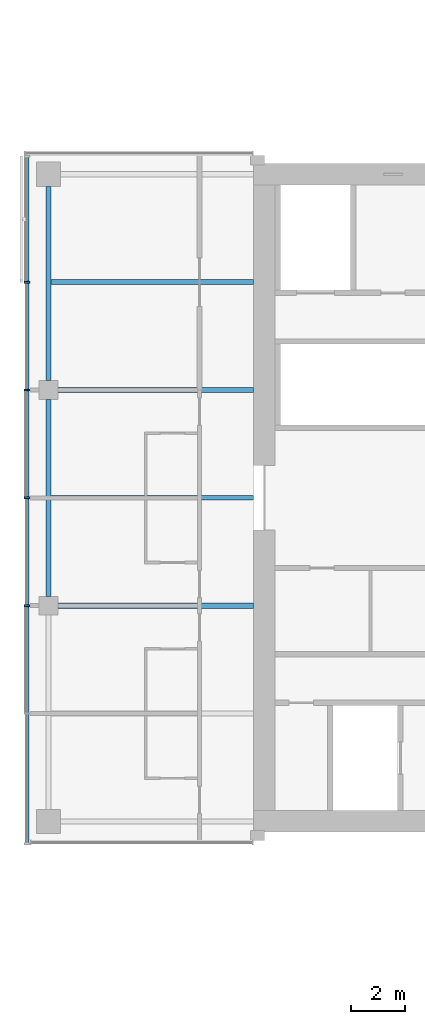
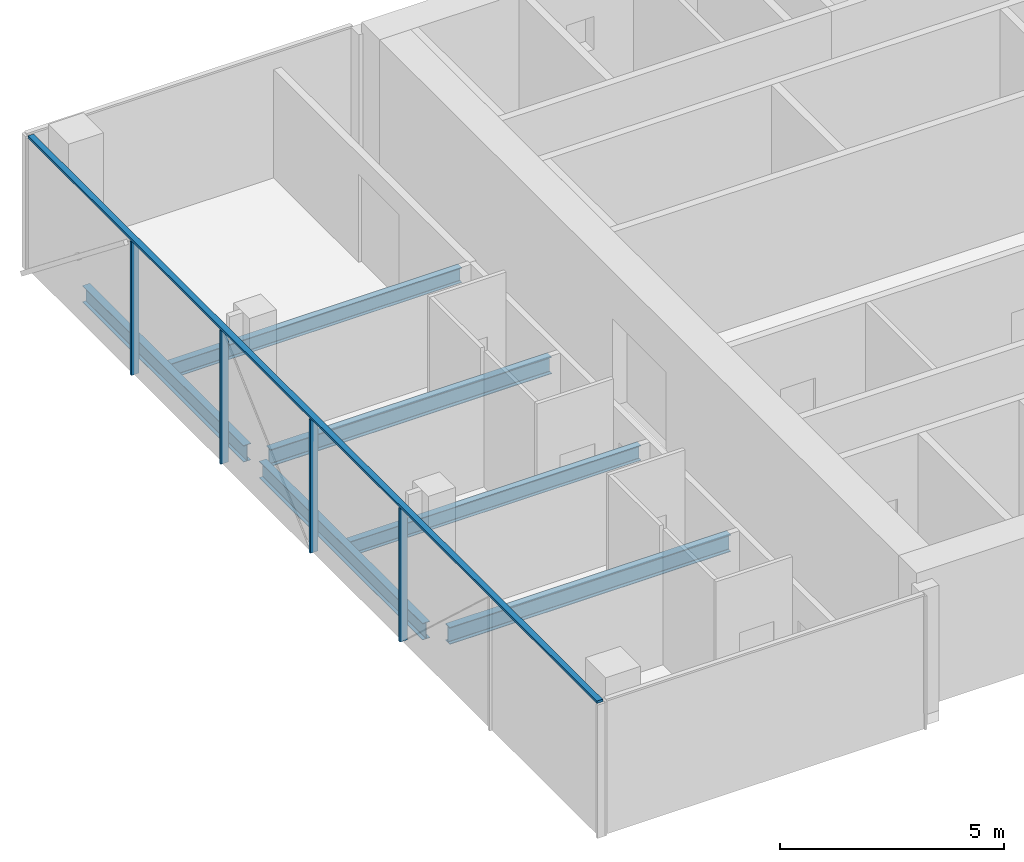
# One storey, part 6 of 27: 6 beams, 5 members, 1 element without a shape of its own.
"""IFC4 building model written with IfcOpenShell, lengths in metres."""

from ifc_helpers import new_model, si_unit, direction, frame, origin, origin_2d, place, context, subcontext, project, spatial, rectangle, i_section, extrude, material, material_profile, profile_set, type_object, element, aggregate, save


model = new_model("IFC4")

# Units and contexts
model_context = context("Model", 3, precision=1e-05, world=origin(), true_north=direction((0.0, 1.0)))
body_context = subcontext(model_context, "Body", "Model", "MODEL_VIEW")
ifc_project = project(units=[si_unit("LENGTHUNIT", "METRE"), si_unit("AREAUNIT", "SQUARE_METRE"), si_unit("VOLUMEUNIT", "CUBIC_METRE"), si_unit("PLANEANGLEUNIT", "RADIAN"), si_unit("MASSUNIT", "GRAM", prefix="KILO")], contexts=[model_context])

# Site, building, storey
site_placement = place(None, origin())
site = spatial("IfcSite", under=ifc_project, at=site_placement, CompositionType="ELEMENT")
building_placement = place(site_placement, origin())
building = spatial("IfcBuilding", under=site, at=building_placement, Name="Crosswind Convention Tower", CompositionType="ELEMENT")
storey_placement = place(building_placement, frame((0.0, 0.0, 75.699951171875)))
storey = spatial("IfcBuildingStorey", under=building, at=storey_placement, Name="L13", CompositionType="ELEMENT", Elevation=75.699951171875)

# Beams
ifc_material_1 = material(Name="Steel S355", Category="steel")
ifc_material_profile_1 = material_profile(ifc_material_1, i_section(OverallWidth=0.1904296875, OverallDepth=0.457275390625, WebThickness=0.009033203125, FlangeThickness=0.014404296875, FilletRadius=0.01025390625, at=origin_2d()), Name="UB 457x191x75")
ifc_profile_set_1 = profile_set([ifc_material_profile_1], Name="Steel S355")
beam_type_1 = type_object("IfcBeamType", Name="Edge beam UB 457x191x75", PredefinedType="SPANDREL", material=ifc_profile_set_1)
beam_1_placement = place(storey_placement, frame((89.0, 96.35009765625, -0.508544921875), z_axis=(0.0, 1.0, 0.0), x_axis=(-1.0, 0.0, 0.0)))
element("IfcBeam", 1, at=beam_1_placement, inside=storey, type_object=beam_type_1, Name="B17 L13 edge beam 2", PredefinedType="SPANDREL", context=body_context, shape_type="SweptSolid", body=[
    extrude(i_section(OverallWidth=0.1904296875, OverallDepth=0.457275390625, WebThickness=0.009033203125, FlangeThickness=0.014404296875, FilletRadius=0.01025390625, at=origin_2d()), origin(), (0.0, 0.0, 1.0), 7.2998046875),
])
beam_2_placement = place(storey_placement, frame((89.0, 104.35009765625, -0.508544921875), z_axis=(0.0, 1.0, 0.0), x_axis=(-1.0, 0.0, 0.0)))
element("IfcBeam", 2, at=beam_2_placement, inside=storey, type_object=beam_type_1, Name="B17 L13 edge beam 3", PredefinedType="SPANDREL", context=body_context, shape_type="SweptSolid", body=[
    extrude(i_section(OverallWidth=0.1904296875, OverallDepth=0.457275390625, WebThickness=0.009033203125, FlangeThickness=0.014404296875, FilletRadius=0.01025390625, at=origin_2d()), origin(), (0.0, 0.0, 1.0), 7.199951171875),
])
ifc_material_profile_2 = material_profile(ifc_material_1, i_section(OverallWidth=0.19189453125, OverallDepth=0.463623046875, WebThickness=0.010498046875, FlangeThickness=0.017578125, FilletRadius=0.01025390625, at=origin_2d()), Name="UB 457x191x90")
ifc_profile_set_2 = profile_set([ifc_material_profile_2], Name="Steel S355")
beam_type_2 = type_object("IfcBeamType", Name="Girder at core wall UB 457x191x90", PredefinedType="BEAM", material=ifc_profile_set_2)
for number, where, z_axis, x_axis, name in (
    (3, (89.35009765625, 96.0, -0.51171875), (1.0, 0.0, 0.0), (0.0, 1.0, 0.0), "B24 L13 girder at core wall 1"),
    (4, (89.35009765625, 104.0, -0.51171875), (1.0, 0.0, 0.0), (0.0, 1.0, 0.0), "B24 L13 girder at core wall 2"),
):
    element("IfcBeam", number, at=place(storey_placement, frame(where, z_axis=z_axis, x_axis=x_axis)), inside=storey, type_object=beam_type_2, Name=name, PredefinedType="BEAM", context=body_context, shape_type="SweptSolid", body=[
        extrude(i_section(OverallWidth=0.19189453125, OverallDepth=0.463623046875, WebThickness=0.010498046875, FlangeThickness=0.017578125, FilletRadius=0.01025390625, at=origin_2d()), origin(), (0.0, 0.0, 1.0), 7.25),
    ])

# Curtain wall, members
ifc_material_2 = material(Name="Aluminium unitised curtain wall", Category="aluminium")
curtain_wall_type = type_object("IfcCurtainWallType", Name="HOTEL UNITISED WALL 200", PredefinedType="USERDEFINED", material=ifc_material_2)
curtain_wall_placement = place(storey_placement, origin())
curtain_wall = element("IfcCurtainWall", 5, at=curtain_wall_placement, inside=storey, type_object=curtain_wall_type, Name="CW2 L13 W-TIP 1", ObjectType="UNITISED", PredefinedType="USERDEFINED")
ifc_material_3 = material(Name="Aluminium mullion", Category="aluminium")
ifc_material_profile_3 = material_profile(ifc_material_3, rectangle(XDim=0.199951171875, YDim=0.06494140625, at=origin_2d()), Name="AL 200X65")
ifc_profile_set_3 = profile_set([ifc_material_profile_3], Name="Aluminium mullion")
member_type_1 = type_object("IfcMemberType", Name="MULLION 65X200", PredefinedType="MULLION", material=ifc_profile_set_3)
member_1_placement = place(storey_placement, frame((88.199951171875, 108.0, -0.280029296875), z_axis=(0.0, 0.0, 1.0), x_axis=(-1.0, 0.0, 0.0)))
member_1 = element("IfcMember", 6, at=member_1_placement, type_object=member_type_1, Name="CW2 mullion 2", PredefinedType="MULLION", context=body_context, shape_type="SweptSolid", body=[
    extrude(rectangle(XDim=0.199951171875, YDim=0.06494140625, at=origin_2d()), origin(), (0.0, 0.0, 1.0), 3.635009765625),
])
member_2_placement = place(storey_placement, frame((88.199951171875, 104.0, -0.280029296875), z_axis=(0.0, 0.0, 1.0), x_axis=(-1.0, 0.0, 0.0)))
member_2 = element("IfcMember", 7, at=member_2_placement, type_object=member_type_1, Name="CW2 mullion 3", PredefinedType="MULLION", context=body_context, shape_type="SweptSolid", body=[
    extrude(rectangle(XDim=0.199951171875, YDim=0.06494140625, at=origin_2d()), origin(), (0.0, 0.0, 1.0), 3.635009765625),
])
member_3_placement = place(storey_placement, frame((88.199951171875, 100.0, -0.280029296875), z_axis=(0.0, 0.0, 1.0), x_axis=(-1.0, 0.0, 0.0)))
member_3 = element("IfcMember", 8, at=member_3_placement, type_object=member_type_1, Name="CW2 mullion 4", PredefinedType="MULLION", context=body_context, shape_type="SweptSolid", body=[
    extrude(rectangle(XDim=0.199951171875, YDim=0.06494140625, at=origin_2d()), origin(), (0.0, 0.0, 1.0), 3.635009765625),
])
member_4_placement = place(storey_placement, frame((88.199951171875, 96.0, -0.280029296875), z_axis=(0.0, 0.0, 1.0), x_axis=(-1.0, 0.0, 0.0)))
member_4 = element("IfcMember", 9, at=member_4_placement, type_object=member_type_1, Name="CW2 mullion 5", PredefinedType="MULLION", context=body_context, shape_type="SweptSolid", body=[
    extrude(rectangle(XDim=0.199951171875, YDim=0.06494140625, at=origin_2d()), origin(), (0.0, 0.0, 1.0), 3.635009765625),
])

# Beams
ifc_material_profile_4 = material_profile(ifc_material_1, i_section(OverallWidth=0.177734375, OverallDepth=0.406494140625, WebThickness=0.0078125, FlangeThickness=0.0126953125, FilletRadius=0.01025390625, at=origin_2d()), Name="UB 406x178x60")
ifc_profile_set_4 = profile_set([ifc_material_profile_4], Name="Steel S355")
beam_type_3 = type_object("IfcBeamType", Name="Secondary beam UB 406x178x60", PredefinedType="JOIST", material=ifc_profile_set_4)
for number, where, z_axis, x_axis, name in (
    (10, (89.09521484375, 100.0, -0.483154296875), (1.0, 0.0, 0.0), (0.0, 1.0, 0.0), "B10 L13 secondary beam 2"),
    (11, (89.09521484375, 108.0, -0.483154296875), (1.0, 0.0, 0.0), (0.0, 1.0, 0.0), "B10 L13 secondary beam 3"),
):
    element("IfcBeam", number, at=place(storey_placement, frame(where, z_axis=z_axis, x_axis=x_axis)), inside=storey, type_object=beam_type_3, Name=name, PredefinedType="JOIST", context=body_context, shape_type="SweptSolid", body=[
        extrude(i_section(OverallWidth=0.177734375, OverallDepth=0.406494140625, WebThickness=0.0078125, FlangeThickness=0.0126953125, FilletRadius=0.01025390625, at=origin_2d()), origin(), (0.0, 0.0, 1.0), 7.5048828125),
    ])

# Member
ifc_material_4 = material(Name="Aluminium transom", Category="aluminium")
ifc_material_profile_5 = material_profile(ifc_material_4, rectangle(XDim=0.14990234375, YDim=0.06494140625, at=origin_2d()), Name="AL 150X65")
ifc_profile_set_5 = profile_set([ifc_material_profile_5], Name="Aluminium transom")
member_type_2 = type_object("IfcMemberType", Name="TRANSOM 65X150", PredefinedType="USERDEFINED", material=ifc_profile_set_5)
member_5_placement = place(storey_placement, frame((88.199951171875, 112.635009765625, 3.387451171875), z_axis=(0.0, -1.0, 0.0), x_axis=(1.0, 0.0, 0.0)))
member_5 = element("IfcMember", 12, at=member_5_placement, type_object=member_type_2, Name="CW2 transom", ObjectType="TRANSOM", PredefinedType="USERDEFINED", context=body_context, shape_type="SweptSolid", body=[
    extrude(rectangle(XDim=0.14990234375, YDim=0.06494140625, at=origin_2d()), origin(), (0.0, 0.0, 1.0), 25.429931640625),
])

aggregate(curtain_wall, [member_1, member_2, member_3, member_4, member_5])

save(model, "model.ifc")
